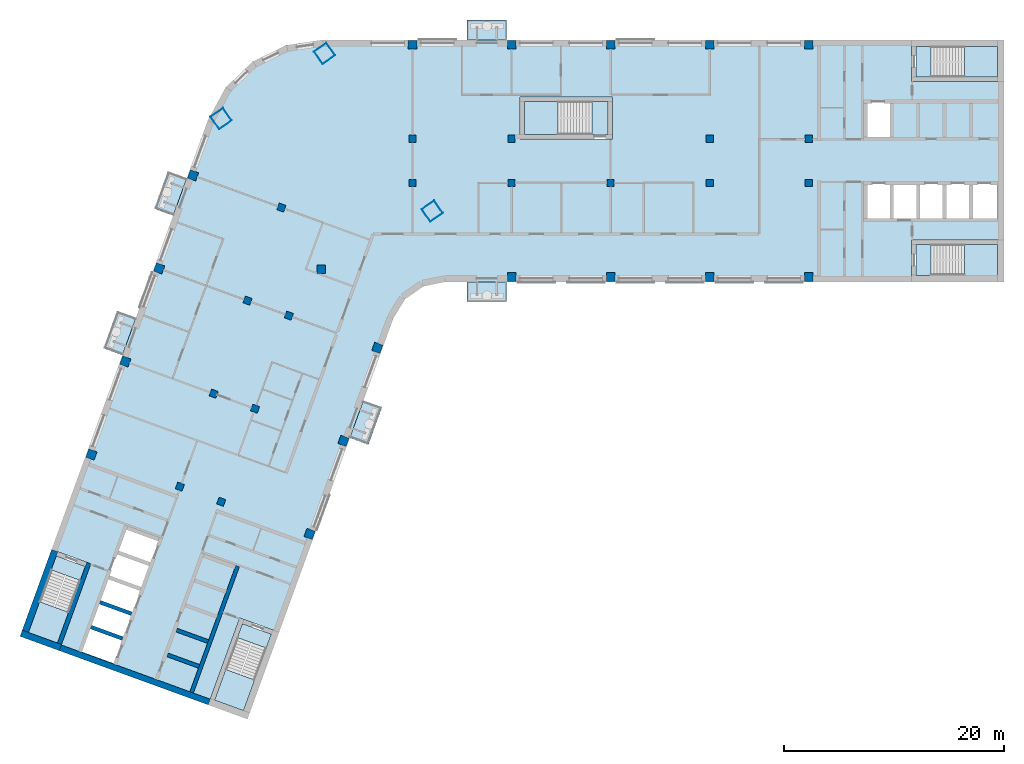
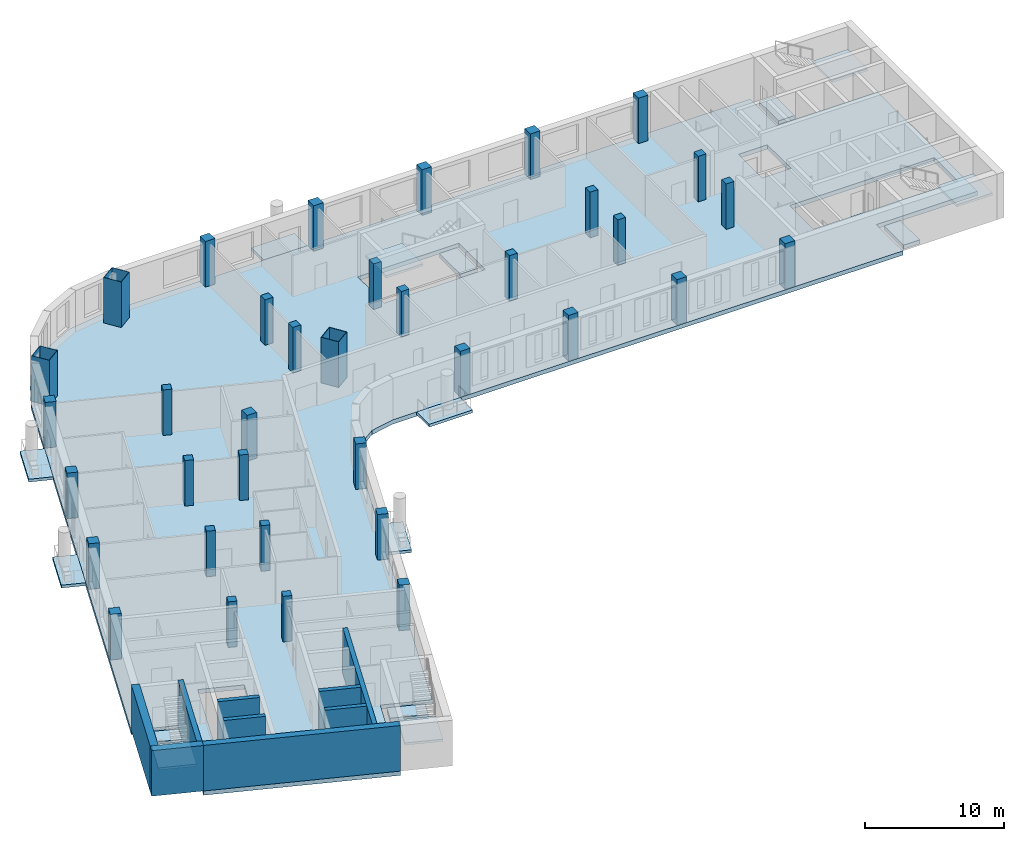
# One storey, part 1 of 11: 36 columns, 16 slabs, 9 walls, 5 elements without a shape of their own.
"""IFC4 building model written with IfcOpenShell, lengths in metres."""

from ifc_helpers import new_model, si_unit, direction, frame, frame_2d, origin, origin_2d, place, context, subcontext, project, spatial, polyline, rectangle, hollow_rectangle, outline, extrude, material, layer, layer_set, material_profile, profile_set, type_object, element, aggregate, save


model = new_model("IFC4")

# Units and contexts
model_context = context("Model", 3, precision=1e-05, world=origin(), true_north=direction((0.0, 1.0)))
body_context = subcontext(model_context, "Body", "Model", "MODEL_VIEW")
ifc_project = project(units=[si_unit("LENGTHUNIT", "METRE"), si_unit("AREAUNIT", "SQUARE_METRE"), si_unit("VOLUMEUNIT", "CUBIC_METRE"), si_unit("PLANEANGLEUNIT", "RADIAN"), si_unit("MASSUNIT", "GRAM", prefix="KILO")], contexts=[model_context])

# Site, building, storey
site_placement = place(None, origin())
site = spatial("IfcSite", under=ifc_project, at=site_placement, CompositionType="ELEMENT")
building_placement = place(site_placement, origin())
building = spatial("IfcBuilding", under=site, at=building_placement, Name="Skarvind Civic Tower", CompositionType="ELEMENT")
storey_placement = place(building_placement, frame((0.0, 0.0, 142.5)))
storey = spatial("IfcBuildingStorey", under=building, at=storey_placement, Name="L33", CompositionType="ELEMENT", Elevation=142.5)

# Columns
ifc_material_1 = material(Name="Concrete C60", Category="concrete")
ifc_material_profile_1 = material_profile(ifc_material_1, rectangle(XDim=0.64990234375, YDim=0.64990234375, at=origin_2d()), Name="RC-650x650")
ifc_profile_set_1 = profile_set([ifc_material_profile_1], Name="Concrete C60")
column_type_1 = type_object("IfcColumnType", Name="Column RC-650x650 C60", PredefinedType="COLUMN", material=ifc_profile_set_1)
for number, where, z_axis, x_axis, name in (
    (1, (54.25, 130.0, 0.0), (0.0, 0.0, 1.0), (1.0, 0.0, 0.0), "Column wing 1 north inner 02 L33"),
    (2, (63.25, 130.0, 0.0), (0.0, 0.0, 1.0), (1.0, 0.0, 0.0), "Column wing 1 north inner 03 L33"),
    (3, (81.25, 130.0, 0.0), (0.0, 0.0, 1.0), (1.0, 0.0, 0.0), "Column wing 1 north inner 05 L33"),
    (4, (90.25, 130.0, 0.0), (0.0, 0.0, 1.0), (1.0, 0.0, 0.0), "Column wing 1 north inner 06 L33"),
    (5, (54.25, 126.0, 0.0), (0.0, 0.0, 1.0), (1.0, 0.0, 0.0), "Column wing 1 south inner 02 L33"),
    (6, (63.25, 126.0, 0.0), (0.0, 0.0, 1.0), (1.0, 0.0, 0.0), "Column wing 1 south inner 03 L33"),
    (7, (72.25, 126.0, 0.0), (0.0, 0.0, 1.0), (1.0, 0.0, 0.0), "Column wing 1 south inner 04 L33"),
    (8, (81.25, 126.0, 0.0), (0.0, 0.0, 1.0), (1.0, 0.0, 0.0), "Column wing 1 south inner 05 L33"),
    (9, (90.25, 126.0, 0.0), (0.0, 0.0, 1.0), (1.0, 0.0, 0.0), "Column wing 1 south inner 06 L33"),
    (10, (43.005615234375, 113.92529296875, 0.0), (0.0, 0.0, 1.0), (-0.342020143326, -0.939692620786, 0.0), "Column wing 2 left inner 02 L33"),
    (11, (39.927490234375, 105.468017578125, 0.0), (0.0, 0.0, 1.0), (-0.342020143326, -0.939692620786, 0.0), "Column wing 2 left inner 03 L33"),
    (12, (36.84912109375, 97.010986328125, 0.0), (0.0, 0.0, 1.0), (-0.342020143326, -0.939692620786, 0.0), "Column wing 2 left inner 04 L33"),
    (13, (42.324951171875, 123.750732421875, 0.0), (0.0, 0.0, 1.0), (-0.342020143326, -0.939692620786, 0.0), "Column wing 2 right inner 01 L33"),
    (14, (39.246826171875, 115.29345703125, 0.0), (0.0, 0.0, 1.0), (-0.342020143326, -0.939692620786, 0.0), "Column wing 2 right inner 02 L33"),
    (15, (36.168701171875, 106.836181640625, 0.0), (0.0, 0.0, 1.0), (-0.342020143326, -0.939692620786, 0.0), "Column wing 2 right inner 03 L33"),
    (16, (33.090576171875, 98.37890625, 0.0), (0.0, 0.0, 1.0), (-0.342020143326, -0.939692620786, 0.0), "Column wing 2 right inner 04 L33"),
):
    element("IfcColumn", number, at=place(storey_placement, frame(where, z_axis=z_axis, x_axis=x_axis)), inside=storey, type_object=column_type_1, Name=name, PredefinedType="COLUMN", context=body_context, shape_type="SweptSolid", body=[
        extrude(rectangle(XDim=0.64990234375, YDim=0.64990234375, at=origin_2d()), origin(), (0.0, 0.0, 1.0), 4.0),
    ])
ifc_material_profile_2 = material_profile(ifc_material_1, rectangle(XDim=0.800048828125, YDim=0.800048828125, at=origin_2d()), Name="RC-800x800")
ifc_profile_set_2 = profile_set([ifc_material_profile_2], Name="Concrete C60")
column_type_2 = type_object("IfcColumnType", Name="Column RC-800x800 C60", PredefinedType="COLUMN", material=ifc_profile_set_2)
for number, where, z_axis, x_axis, name in (
    (17, (54.25, 138.550048828125, 0.0), (0.0, 0.0, 1.0), (1.0, 0.0, 0.0), "Column wing 1 north perimeter 02 L33"),
    (18, (63.25, 138.550048828125, 0.0), (0.0, 0.0, 1.0), (1.0, 0.0, 0.0), "Column wing 1 north perimeter 03 L33"),
    (19, (72.25, 138.550048828125, 0.0), (0.0, 0.0, 1.0), (1.0, 0.0, 0.0), "Column wing 1 north perimeter 04 L33"),
    (20, (81.25, 138.550048828125, 0.0), (0.0, 0.0, 1.0), (1.0, 0.0, 0.0), "Column wing 1 north perimeter 05 L33"),
    (21, (90.25, 138.550048828125, 0.0), (0.0, 0.0, 1.0), (1.0, 0.0, 0.0), "Column wing 1 north perimeter 06 L33"),
    (22, (45.95166015625, 118.151611328125, 0.0), (0.0, 0.0, 1.0), (1.0, 0.0, 0.0), "Column wing 1 south perimeter 01 L33"),
    (23, (63.25, 117.449951171875, 0.0), (0.0, 0.0, 1.0), (1.0, 0.0, 0.0), "Column wing 1 south perimeter 03 L33"),
    (24, (72.25, 117.449951171875, 0.0), (0.0, 0.0, 1.0), (1.0, 0.0, 0.0), "Column wing 1 south perimeter 04 L33"),
    (25, (81.25, 117.449951171875, 0.0), (0.0, 0.0, 1.0), (1.0, 0.0, 0.0), "Column wing 1 south perimeter 05 L33"),
    (26, (90.25, 117.449951171875, 0.0), (0.0, 0.0, 1.0), (1.0, 0.0, 0.0), "Column wing 1 south perimeter 06 L33"),
    (27, (51.0400390625, 111.0009765625, 0.0), (0.0, 0.0, 1.0), (-0.342020143326, -0.939692620786, 0.0), "Column wing 2 left perimeter 02 L33"),
    (28, (47.961669921875, 102.5439453125, 0.0), (0.0, 0.0, 1.0), (-0.342020143326, -0.939692620786, 0.0), "Column wing 2 left perimeter 03 L33"),
    (29, (44.883544921875, 94.086669921875, 0.0), (0.0, 0.0, 1.0), (-0.342020143326, -0.939692620786, 0.0), "Column wing 2 left perimeter 04 L33"),
    (30, (34.29052734375, 126.6748046875, 0.0), (0.0, 0.0, 1.0), (-0.342020143326, -0.939692620786, 0.0), "Column wing 2 right perimeter 01 L33"),
    (31, (31.21240234375, 118.2177734375, 0.0), (0.0, 0.0, 1.0), (-0.342020143326, -0.939692620786, 0.0), "Column wing 2 right perimeter 02 L33"),
    (32, (28.13427734375, 109.760498046875, 0.0), (0.0, 0.0, 1.0), (-0.342020143326, -0.939692620786, 0.0), "Column wing 2 right perimeter 03 L33"),
    (33, (25.05615234375, 101.30322265625, 0.0), (0.0, 0.0, 1.0), (-0.342020143326, -0.939692620786, 0.0), "Column wing 2 right perimeter 04 L33"),
):
    element("IfcColumn", number, at=place(storey_placement, frame(where, z_axis=z_axis, x_axis=x_axis)), inside=storey, type_object=column_type_2, Name=name, PredefinedType="COLUMN", context=body_context, shape_type="SweptSolid", body=[
        extrude(rectangle(XDim=0.800048828125, YDim=0.800048828125, at=origin_2d()), origin(), (0.0, 0.0, 1.0), 4.0),
    ])
ifc_material_2 = material(Name="Composite concrete-filled steel tube, Steel SM355 with Concrete C80", Category="concrete")
ifc_material_profile_3 = material_profile(ifc_material_2, hollow_rectangle(XDim=1.39990234375, YDim=1.39990234375, WallThickness=0.031982421875, at=origin_2d()), Name="BOX-1400x1400x32")
ifc_profile_set_3 = profile_set([ifc_material_profile_3], Name="Composite concrete-filled steel tube, Steel SM355 with Concrete C80")
column_type_3 = type_object("IfcColumnType", Name="Mega column BOX-1400x1400x32 filled C80", PredefinedType="COLUMN", material=ifc_profile_set_3)
for number, where, z_axis, x_axis, name in (
    (34, (36.845947265625, 131.837646484375, 0.0), (0.0, 0.0, 1.0), (0.573576436351, -0.819152044289, 0.0), "Mega column 1 L33"),
    (35, (46.2470703125, 137.762451171875, 0.0), (0.0, 0.0, 1.0), (0.573576436351, -0.819152044289, 0.0), "Mega column 2 L33"),
    (36, (56.0361328125, 123.43017578125, 0.0), (0.0, 0.0, 1.0), (0.573576436351, -0.819152044289, 0.0), "Mega column 4 L33"),
):
    element("IfcColumn", number, at=place(storey_placement, frame(where, z_axis=z_axis, x_axis=x_axis)), inside=storey, type_object=column_type_3, Name=name, PredefinedType="COLUMN", context=body_context, shape_type="SweptSolid", body=[
        extrude(hollow_rectangle(XDim=1.39990234375, YDim=1.39990234375, WallThickness=0.031982421875, at=origin_2d()), origin(), (0.0, 0.0, 1.0), 4.0),
    ])

# Slabs
ifc_material_3 = material(Name="Concrete C50", Category="concrete")
ifc_layer_1 = layer(ifc_material_3, 0.375)
ifc_layer_set_1 = layer_set([ifc_layer_1], Name="Floor slab 375 C50")
slab_type_1 = type_object("IfcSlabType", Name="Floor slab 375 C50", PredefinedType="FLOOR", material=ifc_layer_set_1)
slab_1_placement = place(storey_placement, frame((0.0, 0.0, -0.375)))
element("IfcSlab", 37, at=slab_1_placement, inside=storey, type_object=slab_type_1, Name="Floor slab L33 1", PredefinedType="FLOOR", context=body_context, shape_type="SweptSolid", body=[
    extrude(outline(polyline([(99.60009765625, 117.0), (99.60009765625, 120.800048828125), (108.0, 120.800048828125), (108.0, 135.199951171875), (99.60009765625, 135.199951171875), (99.60009765625, 139.0), (46.095458984375, 139.0), (42.739501953125, 138.5009765625), (39.6943359375, 137.005615234375), (37.24755859375, 134.6552734375), (35.630615234375, 131.672607421875), (19.41748046875, 87.126708984375), (21.435302734375, 92.6708984375), (25.006103515625, 91.371337890625), (22.13330078125, 83.477783203125), (36.886474609375, 78.108154296875), (35.664794921875, 78.552734375), (38.53759765625, 86.4462890625), (42.108642578125, 85.146484375), (40.0908203125, 79.602294921875), (40.0908203125, 79.602294921875), (52.493896484375, 113.68017578125), (53.560791015625, 115.421630859375), (55.23388671875, 116.593017578125), (57.235107421875, 117.0), (99.60009765625, 117.0)]), holes=[polyline([(25.671630859375, 87.9365234375), (26.492431640625, 90.19189453125), (27.313232421875, 92.447021484375), (28.134033203125, 94.702392578125), (31.3291015625, 93.53955078125), (30.50830078125, 91.2841796875), (29.6875, 89.029052734375), (28.866455078125, 86.773681640625), (28.866455078125, 86.773681640625), (28.045654296875, 84.5185546875), (27.224853515625, 82.26318359375), (24.02978515625, 83.426025390625), (24.8505859375, 85.681396484375), (25.671630859375, 87.9365234375), (25.671630859375, 87.9365234375)]), polyline([(64.0, 130.0), (64.0, 133.800048828125), (72.39990234375, 133.800048828125), (72.39990234375, 130.0), (64.0, 130.0)]), polyline([(97.800048828125, 126.0), (100.199951171875, 126.0), (102.60009765625, 126.0), (105.0, 126.0), (107.39990234375, 126.0), (107.39990234375, 122.60009765625), (105.0, 122.60009765625), (102.60009765625, 122.60009765625), (100.199951171875, 122.60009765625), (97.800048828125, 122.60009765625), (95.39990234375, 122.60009765625), (95.39990234375, 126.0), (97.800048828125, 126.0)]), polyline([(97.800048828125, 133.39990234375), (97.800048828125, 130.0), (95.39990234375, 130.0), (95.39990234375, 133.39990234375), (97.800048828125, 133.39990234375)])]), origin(), (0.0, 0.0, 1.0), 0.375),
])
ifc_material_4 = material(Name="Precast concrete C40/50", Category="concrete")
ifc_layer_2 = layer(ifc_material_4, 0.25)
ifc_layer_set_2 = layer_set([ifc_layer_2], Name="SX3 BALCONY SLAB 250")
slab_type_2 = type_object("IfcSlabType", Name="SX3 BALCONY SLAB 250", PredefinedType="FLOOR", material=ifc_layer_set_2)
slab_2_placement = place(storey_placement, frame((0.0, 0.0, -0.25)))
element("IfcSlab", 38, at=slab_2_placement, inside=storey, type_object=slab_type_2, Name="TREE BALCONY SLAB", PredefinedType="FLOOR", context=body_context, shape_type="SweptSolid", body=[
    extrude(outline(polyline([(49.769775390625, 106.19580078125), (48.53857421875, 102.812744140625), (50.22998046875, 102.197265625), (51.461181640625, 105.580078125), (49.769775390625, 106.19580078125)])), origin(), (0.0, 0.0, 1.0), 0.25),
])
slab_3_placement = place(storey_placement, frame((0.0, 0.0, -0.25)))
element("IfcSlab", 39, at=slab_3_placement, inside=storey, type_object=slab_type_2, Name="TREE BALCONY SLAB", PredefinedType="FLOOR", context=body_context, shape_type="SweptSolid", body=[
    extrude(outline(polyline([(62.800048828125, 117.0), (59.199951171875, 117.0), (59.199951171875, 115.199951171875), (62.800048828125, 115.199951171875), (62.800048828125, 117.0)])), origin(), (0.0, 0.0, 1.0), 0.25),
])
slab_4_placement = place(storey_placement, frame((0.0, 0.0, -0.25)))
element("IfcSlab", 40, at=slab_4_placement, inside=storey, type_object=slab_type_2, Name="TREE BALCONY SLAB", PredefinedType="FLOOR", context=body_context, shape_type="SweptSolid", body=[
    extrude(outline(polyline([(59.199951171875, 139.0), (62.800048828125, 139.0), (62.800048828125, 140.800048828125), (59.199951171875, 140.800048828125), (59.199951171875, 139.0)])), origin(), (0.0, 0.0, 1.0), 0.25),
])
slab_5_placement = place(storey_placement, frame((0.0, 0.0, -0.25)))
element("IfcSlab", 41, at=slab_5_placement, inside=storey, type_object=slab_type_2, Name="TREE BALCONY SLAB", PredefinedType="FLOOR", context=body_context, shape_type="SweptSolid", body=[
    extrude(outline(polyline([(27.865234375, 110.33740234375), (29.0966796875, 113.72021484375), (27.4052734375, 114.335693359375), (26.173828125, 110.952880859375), (27.865234375, 110.33740234375)])), origin(), (0.0, 0.0, 1.0), 0.25),
])
slab_6_placement = place(storey_placement, frame((0.0, 0.0, -0.25)))
element("IfcSlab", 42, at=slab_6_placement, inside=storey, type_object=slab_type_2, Name="TREE BALCONY SLAB", PredefinedType="FLOOR", context=body_context, shape_type="SweptSolid", body=[
    extrude(outline(polyline([(32.482666015625, 123.023193359375), (33.7138671875, 126.406005859375), (32.0224609375, 127.021728515625), (30.791259765625, 123.638916015625), (32.482666015625, 123.023193359375)])), origin(), (0.0, 0.0, 1.0), 0.25),
])
ifc_material_5 = material(Name="Concrete C40/50", Category="concrete")
ifc_layer_3 = layer(ifc_material_5, 0.375)
ifc_layer_set_3 = layer_set([ifc_layer_3], Name="Stair floor landing slab 375")
slab_type_3 = type_object("IfcSlabType", Name="Stair floor landing slab 375", PredefinedType="LANDING", material=ifc_layer_set_3)
slab_7_placement = place(storey_placement, frame((0.0, 0.0, -0.375)))
element("IfcSlab", 43, at=slab_7_placement, inside=storey, type_object=slab_type_3, Name="Stair floor landing", PredefinedType="LANDING", context=body_context, shape_type="SweptSolid", body=[
    extrude(outline(polyline([(101.3505859375, 138.400634765625), (101.3505859375, 135.599365234375), (99.99951171875, 135.599365234375), (99.99951171875, 138.400634765625), (101.3505859375, 138.400634765625)])), origin(), (0.0, 0.0, 1.0), 0.375),
])
slab_8_placement = place(storey_placement, frame((0.0, 0.0, -0.375)))
element("IfcSlab", 44, at=slab_8_placement, inside=storey, type_object=slab_type_3, Name="Stair floor landing", PredefinedType="LANDING", context=body_context, shape_type="SweptSolid", body=[
    extrude(outline(polyline([(101.3505859375, 120.400634765625), (101.3505859375, 117.599365234375), (99.99951171875, 117.599365234375), (99.99951171875, 120.400634765625), (101.3505859375, 120.400634765625)])), origin(), (0.0, 0.0, 1.0), 0.375),
])
slab_9_placement = place(storey_placement, frame((0.0, 0.0, -0.375)))
element("IfcSlab", 45, at=slab_9_placement, inside=storey, type_object=slab_type_3, Name="Stair floor landing", PredefinedType="LANDING", context=body_context, shape_type="SweptSolid", body=[
    extrude(outline(polyline([(40.946533203125, 83.70654296875), (38.314208984375, 84.66455078125), (38.7763671875, 85.934326171875), (41.40869140625, 84.976318359375), (40.946533203125, 83.70654296875)])), origin(), (0.0, 0.0, 1.0), 0.375),
])
slab_10_placement = place(storey_placement, frame((0.0, 0.0, -0.375)))
element("IfcSlab", 46, at=slab_10_placement, inside=storey, type_object=slab_type_3, Name="Stair floor landing", PredefinedType="LANDING", context=body_context, shape_type="SweptSolid", body=[
    extrude(outline(polyline([(24.0322265625, 89.863037109375), (21.39990234375, 90.821044921875), (21.862060546875, 92.090576171875), (24.494384765625, 91.132568359375), (24.0322265625, 89.863037109375)])), origin(), (0.0, 0.0, 1.0), 0.375),
])
slab_11_placement = place(storey_placement, frame((0.0, 0.0, -0.375)))
element("IfcSlab", 47, at=slab_11_placement, inside=storey, type_object=slab_type_3, Name="Stair floor landing", PredefinedType="LANDING", context=body_context, shape_type="SweptSolid", body=[
    extrude(outline(polyline([(70.54931640625, 130.3994140625), (70.54931640625, 133.400634765625), (72.00048828125, 133.400634765625), (72.00048828125, 130.3994140625), (70.54931640625, 130.3994140625)])), origin(), (0.0, 0.0, 1.0), 0.375),
])

# Stair, slab
stair_type_1 = type_object("IfcStairType", Name="Exit stair, half-turn, concrete", PredefinedType="HALF_TURN_STAIR", material=ifc_material_5)
stair_1_placement = place(storey_placement, origin())
stair_1 = element("IfcStair", 48, at=stair_1_placement, inside=storey, type_object=stair_type_1, Name="Exit stair C1S", PredefinedType="HALF_TURN_STAIR")
ifc_layer_4 = layer(ifc_material_5, 0.199951171875)
ifc_layer_set_4 = layer_set([ifc_layer_4], Name="Stair half landing slab")
slab_type_4 = type_object("IfcSlabType", Name="Stair half landing slab", PredefinedType="LANDING", material=ifc_layer_set_4)
slab_12_placement = place(storey_placement, frame((0.0, 0.0, 1.800048828125)))
slab_12 = element("IfcSlab", 49, at=slab_12_placement, type_object=slab_type_4, Name="ST-C1S landing 1", PredefinedType="LANDING", context=body_context, shape_type="SweptSolid", body=[
    extrude(outline(polyline([(104.429443359375, 135.599365234375), (104.429443359375, 138.400634765625), (107.400634765625, 138.400634765625), (107.400634765625, 135.599365234375), (104.429443359375, 135.599365234375)])), origin(), (0.0, 0.0, 1.0), 0.199951171875),
])
aggregate(stair_1, [slab_12])

stair_2_placement = place(storey_placement, origin())
stair_2 = element("IfcStair", 50, at=stair_2_placement, inside=storey, type_object=stair_type_1, Name="Exit stair C1N", PredefinedType="HALF_TURN_STAIR")
slab_13_placement = place(storey_placement, frame((0.0, 0.0, 1.800048828125)))
slab_13 = element("IfcSlab", 51, at=slab_13_placement, type_object=slab_type_4, Name="ST-C1N landing 1", PredefinedType="LANDING", context=body_context, shape_type="SweptSolid", body=[
    extrude(outline(polyline([(104.429443359375, 117.599365234375), (104.429443359375, 120.400634765625), (107.400634765625, 120.400634765625), (107.400634765625, 117.599365234375), (104.429443359375, 117.599365234375)])), origin(), (0.0, 0.0, 1.0), 0.199951171875),
])
aggregate(stair_2, [slab_13])

stair_3_placement = place(storey_placement, origin())
stair_3 = element("IfcStair", 52, at=stair_3_placement, inside=storey, type_object=stair_type_1, Name="Exit stair C2S", PredefinedType="HALF_TURN_STAIR")
slab_14_placement = place(storey_placement, frame((0.0, 0.0, 1.800048828125)))
slab_14 = element("IfcSlab", 53, at=slab_14_placement, type_object=slab_type_4, Name="ST-C2S landing 1", PredefinedType="LANDING", context=body_context, shape_type="SweptSolid", body=[
    extrude(outline(polyline([(37.26123046875, 81.771484375), (39.8935546875, 80.8134765625), (38.87744140625, 78.021484375), (36.2451171875, 78.9794921875), (37.26123046875, 81.771484375)])), origin(), (0.0, 0.0, 1.0), 0.199951171875),
])
aggregate(stair_3, [slab_14])

stair_4_placement = place(storey_placement, origin())
stair_4 = element("IfcStair", 54, at=stair_4_placement, inside=storey, type_object=stair_type_1, Name="Exit stair C2N", PredefinedType="HALF_TURN_STAIR")
slab_15_placement = place(storey_placement, frame((0.0, 0.0, 1.800048828125)))
slab_15 = element("IfcSlab", 55, at=slab_15_placement, type_object=slab_type_4, Name="ST-C2N landing 1", PredefinedType="LANDING", context=body_context, shape_type="SweptSolid", body=[
    extrude(outline(polyline([(20.346923828125, 87.927734375), (22.97900390625, 86.9697265625), (21.962890625, 84.177734375), (19.33056640625, 85.1357421875), (20.346923828125, 87.927734375)])), origin(), (0.0, 0.0, 1.0), 0.199951171875),
])
aggregate(stair_4, [slab_15])

stair_type_2 = type_object("IfcStairType", Name="Exit stair 1450, half-turn, concrete", PredefinedType="HALF_TURN_STAIR", material=ifc_material_5)
stair_5_placement = place(storey_placement, origin())
stair_5 = element("IfcStair", 56, at=stair_5_placement, inside=storey, type_object=stair_type_2, Name="Exit stair CM", PredefinedType="HALF_TURN_STAIR")
slab_16_placement = place(storey_placement, frame((0.0, 0.0, 1.800048828125)))
slab_16 = element("IfcSlab", 57, at=slab_16_placement, type_object=slab_type_4, Name="ST-CM landing 1", PredefinedType="LANDING", context=body_context, shape_type="SweptSolid", body=[
    extrude(outline(polyline([(67.470703125, 133.400634765625), (67.470703125, 130.3994140625), (64.3994140625, 130.3994140625), (64.3994140625, 133.400634765625), (67.470703125, 133.400634765625)])), origin(), (0.0, 0.0, 1.0), 0.199951171875),
])
aggregate(stair_5, [slab_16])

# Walls
ifc_layer_5 = layer(ifc_material_1, 0.35009765625)
ifc_layer_set_5 = layer_set([ifc_layer_5], Name="Core wall 350 C60")
wall_type_1 = type_object("IfcWallType", Name="Core wall 350 C60", PredefinedType="SHEAR", material=ifc_layer_set_5)
wall_1_placement = place(storey_placement, frame((34.161376953125, 79.685302734375, 0.0), z_axis=(0.0, 0.0, 1.0), x_axis=(0.34201563943, 0.939694260058, 0.0)))
element("IfcWall", 58, at=wall_1_placement, inside=storey, type_object=wall_type_1, Name="Core wall C2 south lift row back L33", PredefinedType="SHEAR", context=body_context, shape_type="SweptSolid", body=[
    extrude(rectangle(XDim=12.22509765625, YDim=0.35009765625, at=frame_2d((6.112548828125, 0.0))), origin(), (0.0, 0.0, 1.0), 4.0),
])
wall_2_placement = place(storey_placement, frame((34.8349609375, 82.04736328125, 0.0), z_axis=(0.0, 0.0, 1.0), x_axis=(-0.939683528043, 0.3420451244, 0.0)))
element("IfcWall", 59, at=wall_2_placement, inside=storey, type_object=wall_type_1, Name="Core wall C2 south lift row division 1 L33", PredefinedType="SHEAR", context=body_context, shape_type="SweptSolid", body=[
    extrude(rectangle(XDim=3.050048828125, YDim=0.35009765625, at=frame_2d((1.52490234375, 0.0))), origin(), (0.0, 0.0, 1.0), 4.0),
])
wall_3_placement = place(storey_placement, frame((35.65576171875, 84.302734375, 0.0), z_axis=(0.0, 0.0, 1.0), x_axis=(-0.939709254651, 0.341974438698, 0.0)))
element("IfcWall", 60, at=wall_3_placement, inside=storey, type_object=wall_type_1, Name="Core wall C2 south lift row division 2 L33", PredefinedType="SHEAR", context=body_context, shape_type="SweptSolid", body=[
    extrude(rectangle(XDim=3.0498046875, YDim=0.35009765625, at=frame_2d((1.52490234375, 0.0))), origin(), (0.0, 0.0, 1.0), 4.0),
])
for number, where, z_axis, x_axis, name in (
    (61, (27.881103515625, 84.578369140625, 0.0), (0.0, 0.0, 1.0), (-0.939683528043, 0.3420451244, 0.0), "Core wall C2 north lift row division 1 L33"),
    (62, (28.7021484375, 86.83349609375, 0.0), (0.0, 0.0, 1.0), (-0.939692892192, 0.342019397644, 0.0), "Core wall C2 north lift row division 2 L33"),
):
    element("IfcWall", number, at=place(storey_placement, frame(where, z_axis=z_axis, x_axis=x_axis)), inside=storey, type_object=wall_type_1, Name=name, PredefinedType="SHEAR", context=body_context, shape_type="SweptSolid", body=[
        extrude(rectangle(XDim=3.050048828125, YDim=0.35009765625, at=frame_2d((1.52490234375, 0.0))), origin(), (0.0, 0.0, 1.0), 4.0),
    ])
ifc_layer_6 = layer(ifc_material_1, 0.39990234375)
ifc_layer_set_6 = layer_set([ifc_layer_6], Name="Core wall 400 C60")
wall_type_2 = type_object("IfcWallType", Name="Core wall 400 C60", PredefinedType="SHEAR", material=ifc_layer_set_6)
wall_4_placement = place(storey_placement, frame((22.150390625, 84.110107421875, 0.0), z_axis=(0.0, 0.0, 1.0), x_axis=(0.342016982193, 0.939693771338, 0.0)))
element("IfcWall", 63, at=wall_4_placement, inside=storey, type_object=wall_type_2, Name="Core wall C2 north stair inner L33", PredefinedType="SHEAR", context=body_context, shape_type="SweptSolid", body=[
    extrude(rectangle(XDim=7.800048828125, YDim=0.39990234375, at=frame_2d((3.89990234375, 0.0))), origin(), (0.0, 0.0, 1.0), 4.0),
])
ifc_layer_7 = layer(ifc_material_1, 0.550048828125)
ifc_layer_set_7 = layer_set([ifc_layer_7], Name="Core wall 550 C60")
wall_type_3 = type_object("IfcWallType", Name="Core wall 550 C60", PredefinedType="SHEAR", material=ifc_layer_set_7)
wall_5_placement = place(storey_placement, frame((35.7587890625, 78.811279296875, 0.0), z_axis=(0.0, 0.0, 1.0), x_axis=(-0.939692894512, 0.342019391267, 0.0)))
element("IfcWall", 64, at=wall_5_placement, inside=storey, type_object=wall_type_3, Name="Core wall C2 tip between the stairs L33", PredefinedType="SHEAR", context=body_context, shape_type="SweptSolid", body=[
    extrude(rectangle(XDim=14.39990234375, YDim=0.550048828125, at=frame_2d((7.199951171875, 0.0))), origin(), (0.0, 0.0, 1.0), 4.0),
])
ifc_layer_8 = layer(ifc_material_1, 0.60009765625)
ifc_layer_set_8 = layer_set([ifc_layer_8], Name="Core wall 600 C60")
wall_type_4 = type_object("IfcWallType", Name="Core wall 600 C60", PredefinedType="SHEAR", material=ifc_layer_set_8)
wall_6_placement = place(storey_placement, frame((22.23583984375, 83.759765625, 0.0), z_axis=(0.0, 0.0, 1.0), x_axis=(-0.939680822529, 0.342052557032, 0.0)))
element("IfcWall", 65, at=wall_6_placement, inside=storey, type_object=wall_type_4, Name="Core wall C2 tip at the north stair L33", PredefinedType="SHEAR", context=body_context, shape_type="SweptSolid", body=[
    extrude(rectangle(XDim=3.800048828125, YDim=0.60009765625, at=frame_2d((1.89990234375, 0.0))), origin(), (0.0, 0.0, 1.0), 4.0),
])
wall_7_placement = place(storey_placement, frame((19.049560546875, 85.23876953125, 0.0), z_axis=(0.0, 0.0, 1.0), x_axis=(0.342016982193, 0.939693771338, 0.0)))
element("IfcWall", 66, at=wall_7_placement, inside=storey, type_object=wall_type_4, Name="Core wall C2 north side at the stair L33", PredefinedType="SHEAR", context=body_context, shape_type="SweptSolid", body=[
    extrude(rectangle(XDim=7.800048828125, YDim=0.60009765625, at=frame_2d((3.89990234375, 0.0))), origin(), (0.0, 0.0, 1.0), 4.0),
])

save(model, "model.ifc")
